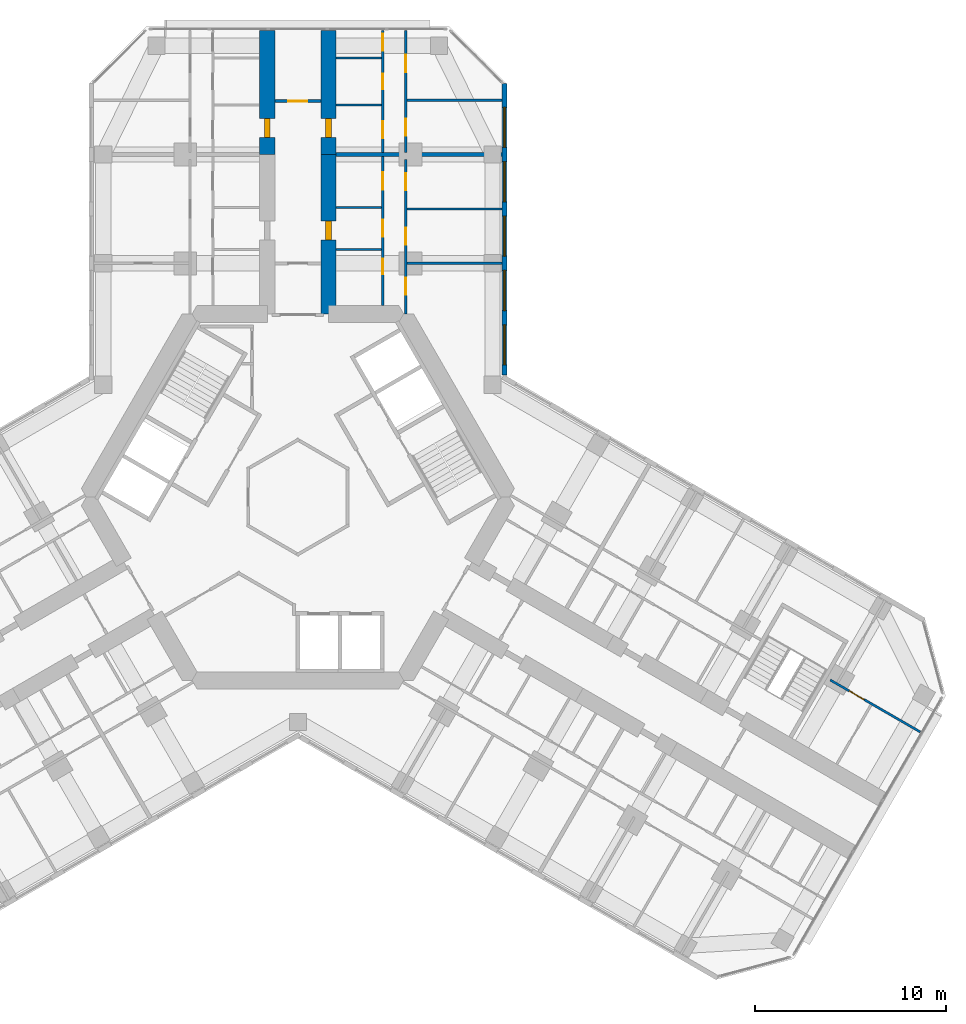
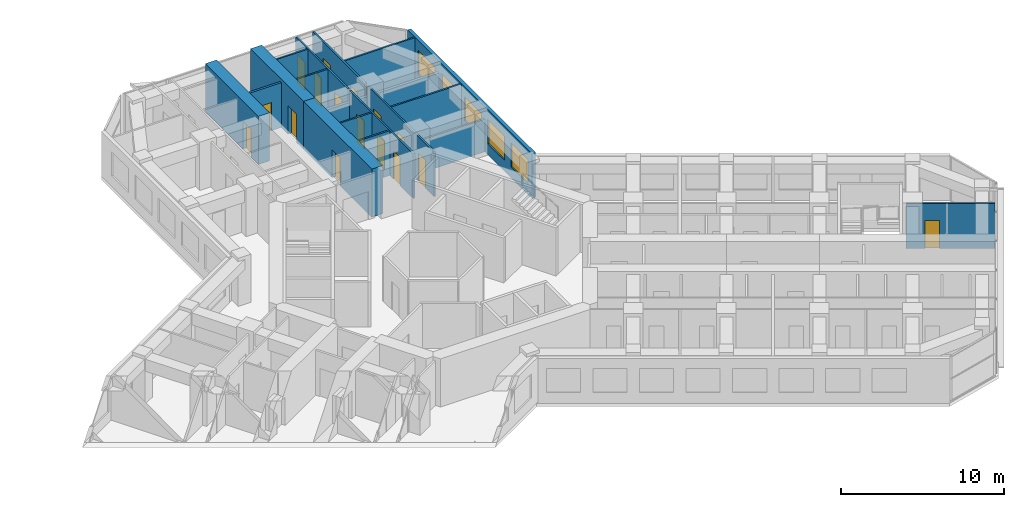
# One storey, part 18 of 20: 18 walls, 16 doors, 5 windows, 21 openings.
"""IFC4 building model written with IfcOpenShell, lengths in metres."""

from ifc_helpers import new_model, si_unit, direction, frame, frame_2d, origin, place, context, subcontext, project, spatial, rectangle, extrude, material, layer, layer_set, type_object, element, fill, save


model = new_model("IFC4")

# Units and contexts
model_context = context("Model", 3, precision=1e-05, world=origin(), true_north=direction((0.0, 1.0)))
body_context = subcontext(model_context, "Body", "Model", "MODEL_VIEW")
ifc_project = project(units=[si_unit("LENGTHUNIT", "METRE"), si_unit("AREAUNIT", "SQUARE_METRE"), si_unit("VOLUMEUNIT", "CUBIC_METRE"), si_unit("PLANEANGLEUNIT", "RADIAN"), si_unit("MASSUNIT", "GRAM", prefix="KILO")], contexts=[model_context])

# Site, building, storey
site_placement = place(None, origin())
site = spatial("IfcSite", under=ifc_project, at=site_placement, CompositionType="ELEMENT")
building_placement = place(site_placement, origin())
building = spatial("IfcBuilding", under=site, at=building_placement, Name="Kosmar Iwan School Tower", CompositionType="ELEMENT")
storey_placement = place(building_placement, frame((0.0, 0.0, 176.0)))
storey = spatial("IfcBuildingStorey", under=building, at=storey_placement, Name="L44", CompositionType="ELEMENT", Elevation=176.0)

# Wall, opening, door
ifc_material_1 = material(Name="Concrete C50/60", Category="concrete")
ifc_layer_1 = layer(ifc_material_1, 0.800048828125)
ifc_layer_set_1 = layer_set([ifc_layer_1], Name="Corridor buttress wall 800")
wall_type_1 = type_object("IfcWallType", Name="Corridor buttress wall 800", PredefinedType="SHEAR", material=ifc_layer_set_1)
wall_1_placement = place(storey_placement, frame((-1.60009765625, 17.949951171875, 0.0), z_axis=(0.0, 0.0, 1.0), x_axis=(0.0, 1.0, 0.0)))
wall_1 = element("IfcWall", 1, at=wall_1_placement, inside=storey, type_object=wall_type_1, Name="Corridor wall AL bay 2", PredefinedType="SHEAR", context=body_context, shape_type="SweptSolid", body=[
    extrude(rectangle(XDim=6.4951171875, YDim=0.800048828125, at=frame_2d((3.24755859375, 0.0))), origin(), (0.0, 0.0, 1.0), 3.60009765625),
])
opening_1_placement = place(wall_1_placement, frame((0.89990234375, 0.0, 0.0)))
opening_1 = element("IfcOpeningElement", 2, at=opening_1_placement, cuts=wall_1, Name="Opening D1", PredefinedType="OPENING", context=body_context, shape_type="SweptSolid", body=[
    extrude(rectangle(XDim=1.0, YDim=2.10009765625, at=frame_2d((0.5, 1.050048828125))), frame((0.0, 0.412109375, 0.0), z_axis=(0.0, -1.0, 0.0), x_axis=(1.0, 0.0, 0.0)), (0.0, 0.0, 1.0), 0.823974609375),
])
ifc_material_2 = material(Name="Timber fire door in steel frame", Category="steel")
door_type_1 = type_object("IfcDoorType", Name="Flat entrance door 1000x2100", OperationType="SINGLE_SWING_LEFT", PredefinedType="DOOR", material=ifc_material_2)
door_1_placement = place(opening_1_placement, origin())
door_1 = element("IfcDoor", 3, at=door_1_placement, inside=storey, type_object=door_type_1, Name="Flat L44-AL2 entrance door", OperationType="SINGLE_SWING_RIGHT", OverallHeight=2.10009765625, OverallWidth=1.0, PredefinedType="DOOR", context=body_context, shape_type="SweptSolid", body=[
    extrude(rectangle(XDim=1.0, YDim=2.10009765625, at=frame_2d((0.5, 1.050048828125))), frame((0.0, 0.14990234375, 0.0), z_axis=(0.0, -1.0, 0.0), x_axis=(1.0, 0.0, 0.0)), (0.0, 0.0, 1.0), 0.300048828125),
])
fill(opening_1, door_1)

wall_2_placement = place(storey_placement, frame((1.60009765625, 9.60009765625, 0.0), z_axis=(0.0, 0.0, 1.0), x_axis=(0.0, 1.0, 0.0)))
wall_2 = element("IfcWall", 4, at=wall_2_placement, inside=storey, type_object=wall_type_1, Name="Corridor wall AR", PredefinedType="SHEAR", context=body_context, shape_type="SweptSolid", body=[
    extrude(rectangle(XDim=8.349853515625, YDim=0.800048828125, at=frame_2d((4.1748046875, 0.0))), origin(), (0.0, 0.0, 1.0), 3.60009765625),
])
opening_2_placement = place(wall_2_placement, frame((3.8798828125, 0.0, 0.0)))
opening_2 = element("IfcOpeningElement", 5, at=opening_2_placement, cuts=wall_2, Name="Opening D1", PredefinedType="OPENING", context=body_context, shape_type="SweptSolid", body=[
    extrude(rectangle(XDim=1.0, YDim=2.10009765625, at=frame_2d((0.5, 1.050048828125))), frame((0.0, 0.412109375, 0.0), z_axis=(0.0, -1.0, 0.0), x_axis=(1.0, 0.0, 0.0)), (0.0, 0.0, 1.0), 0.823974609375),
])
door_2_placement = place(opening_2_placement, origin())
door_2 = element("IfcDoor", 6, at=door_2_placement, inside=storey, type_object=door_type_1, Name="Flat L44-AR1 entrance door", OperationType="SINGLE_SWING_LEFT", OverallHeight=2.10009765625, OverallWidth=1.0, PredefinedType="DOOR", context=body_context, shape_type="SweptSolid", body=[
    extrude(rectangle(XDim=1.0, YDim=2.10009765625, at=frame_2d((0.5, 1.050048828125))), frame((0.0, 0.14990234375, 0.0), z_axis=(0.0, -1.0, 0.0), x_axis=(1.0, 0.0, 0.0)), (0.0, 0.0, 1.0), 0.300048828125),
])
fill(opening_2, door_2)

wall_3_placement = place(storey_placement, frame((1.60009765625, 17.949951171875, 0.0), z_axis=(0.0, 0.0, 1.0), x_axis=(0.0, 1.0, 0.0)))
wall_3 = element("IfcWall", 7, at=wall_3_placement, inside=storey, type_object=wall_type_1, Name="Corridor wall AR bay 2", PredefinedType="SHEAR", context=body_context, shape_type="SweptSolid", body=[
    extrude(rectangle(XDim=6.4951171875, YDim=0.800048828125, at=frame_2d((3.24755859375, 0.0))), origin(), (0.0, 0.0, 1.0), 3.60009765625),
])
opening_3_placement = place(wall_3_placement, frame((0.89990234375, 0.0, 0.0)))
opening_3 = element("IfcOpeningElement", 8, at=opening_3_placement, cuts=wall_3, Name="Opening D1", PredefinedType="OPENING", context=body_context, shape_type="SweptSolid", body=[
    extrude(rectangle(XDim=1.0, YDim=2.10009765625, at=frame_2d((0.5, 1.050048828125))), frame((0.0, 0.412109375, 0.0), z_axis=(0.0, -1.0, 0.0), x_axis=(1.0, 0.0, 0.0)), (0.0, 0.0, 1.0), 0.823974609375),
])
door_3_placement = place(opening_3_placement, origin())
door_3 = element("IfcDoor", 9, at=door_3_placement, inside=storey, type_object=door_type_1, Name="Flat L44-AR2 entrance door", OperationType="SINGLE_SWING_RIGHT", OverallHeight=2.10009765625, OverallWidth=1.0, PredefinedType="DOOR", context=body_context, shape_type="SweptSolid", body=[
    extrude(rectangle(XDim=1.0, YDim=2.10009765625, at=frame_2d((0.5, 1.050048828125))), frame((0.0, 0.14990234375, 0.0), z_axis=(0.0, -1.0, 0.0), x_axis=(1.0, 0.0, 0.0)), (0.0, 0.0, 1.0), 0.300048828125),
])
fill(opening_3, door_3)

ifc_material_3 = material(Name="Gypsum board on steel studs, fire-rated", Category="steel")
ifc_layer_2 = layer(ifc_material_3, 0.14990234375)
ifc_layer_set_2 = layer_set([ifc_layer_2], Name="Corridor end wall 150")
wall_type_2 = type_object("IfcWallType", Name="Corridor end wall 150", PredefinedType="PARTITIONING", material=ifc_layer_set_2)
wall_4_placement = place(storey_placement, frame((1.199951171875, 20.75, 0.0), z_axis=(0.0, 0.0, 1.0), x_axis=(-1.0, 0.0, 0.0)))
wall_4 = element("IfcWall", 10, at=wall_4_placement, inside=storey, type_object=wall_type_2, Name="Partition L44-A-CE", PredefinedType="PARTITIONING", context=body_context, shape_type="SweptSolid", body=[
    extrude(rectangle(XDim=2.39990234375, YDim=0.14990234375, at=frame_2d((1.199951171875, 0.0))), origin(), (0.0, 0.0, 1.0), 3.35009765625),
])
opening_4_placement = place(wall_4_placement, frame((0.699951171875, 0.0, 0.0)))
opening_4 = element("IfcOpeningElement", 11, at=opening_4_placement, cuts=wall_4, Name="Opening D13", PredefinedType="OPENING", context=body_context, shape_type="SweptSolid", body=[
    extrude(rectangle(XDim=1.0, YDim=2.10009765625, at=frame_2d((0.5, 1.050048828125))), frame((0.0, 0.0869140625, 0.0), z_axis=(0.0, -1.0, 0.0), x_axis=(1.0, 0.0, 0.0)), (0.0, 0.0, 1.0), 0.173828125),
])
ifc_material_4 = material(Name="Timber fire door with vision panel", Category="wood")
door_type_2 = type_object("IfcDoorType", Name="Corridor end door 1000x2100", OperationType="SINGLE_SWING_LEFT", PredefinedType="DOOR", material=ifc_material_4)
door_4_placement = place(opening_4_placement, origin())
door_4 = element("IfcDoor", 12, at=door_4_placement, inside=storey, type_object=door_type_2, Name="Prayer room door L44-A", OperationType="SINGLE_SWING_RIGHT", OverallHeight=2.10009765625, OverallWidth=1.0, PredefinedType="DOOR", context=body_context, shape_type="SweptSolid", body=[
    extrude(rectangle(XDim=1.0, YDim=2.10009765625, at=frame_2d((0.5, 1.050048828125))), frame((0.0, 0.02490234375, 0.0), z_axis=(0.0, -1.0, 0.0), x_axis=(1.0, 0.0, 0.0)), (0.0, 0.0, 1.0), 0.050048828125),
])
fill(opening_4, door_4)

# Wall, openings, doors
ifc_material_5 = material(Name="Gypsum board on steel studs", Category="steel")
ifc_layer_3 = layer(ifc_material_5, 0.1201171875)
ifc_layer_set_3 = layer_set([ifc_layer_3], Name="Dwelling partition 120")
wall_type_3 = type_object("IfcWallType", Name="Dwelling partition 120", PredefinedType="PARTITIONING", material=ifc_layer_set_3)
wall_5_placement = place(storey_placement, frame((4.449951171875, 10.050048828125, 0.0), z_axis=(0.0, 0.0, 1.0), x_axis=(0.0, 1.0, 0.0)))
wall_5 = element("IfcWall", 13, at=wall_5_placement, inside=storey, type_object=wall_type_3, Name="Partition L44-AR1-W1", PredefinedType="PARTITIONING", context=body_context, shape_type="SweptSolid", body=[
    extrude(rectangle(XDim=7.800048828125, YDim=0.1201171875, at=frame_2d((3.89990234375, 0.0))), origin(), (0.0, 0.0, 1.0), 3.35009765625),
])
opening_5_placement = place(wall_5_placement, frame((1.639892578125, 0.0, 0.0)))
opening_5 = element("IfcOpeningElement", 14, at=opening_5_placement, cuts=wall_5, Name="Opening D3", PredefinedType="OPENING", context=body_context, shape_type="SweptSolid", body=[
    extrude(rectangle(XDim=0.800048828125, YDim=2.10009765625, at=frame_2d((0.39990234375, 1.050048828125))), frame((0.0, 0.072021484375, 0.0), z_axis=(0.0, -1.0, 0.0), x_axis=(1.0, 0.0, 0.0)), (0.0, 0.0, 1.0), 0.14404296875),
])
opening_6_placement = place(wall_5_placement, frame((3.580078125, 0.0, 0.0)))
opening_6 = element("IfcOpeningElement", 15, at=opening_6_placement, cuts=wall_5, Name="Opening D2", PredefinedType="OPENING", context=body_context, shape_type="SweptSolid", body=[
    extrude(rectangle(XDim=0.89990234375, YDim=2.10009765625, at=frame_2d((0.449951171875, 1.050048828125))), frame((0.0, 0.072021484375, 0.0), z_axis=(0.0, -1.0, 0.0), x_axis=(1.0, 0.0, 0.0)), (0.0, 0.0, 1.0), 0.14404296875),
])
opening_7_placement = place(wall_5_placement, frame((6.06494140625, 0.0, 0.0)))
opening_7 = element("IfcOpeningElement", 16, at=opening_7_placement, cuts=wall_5, Name="Opening D2", PredefinedType="OPENING", context=body_context, shape_type="SweptSolid", body=[
    extrude(rectangle(XDim=0.89990234375, YDim=2.10009765625, at=frame_2d((0.449951171875, 1.050048828125))), frame((0.0, 0.072021484375, 0.0), z_axis=(0.0, -1.0, 0.0), x_axis=(1.0, 0.0, 0.0)), (0.0, 0.0, 1.0), 0.14404296875),
])
ifc_material_6 = material(Name="Timber door in timber frame", Category="wood")
door_type_3 = type_object("IfcDoorType", Name="Internal door 900x2100", OperationType="SINGLE_SWING_LEFT", PredefinedType="DOOR", material=ifc_material_6)
door_5_placement = place(opening_6_placement, origin())
door_5 = element("IfcDoor", 17, at=door_5_placement, inside=storey, type_object=door_type_3, Name="Entrance hall door L44-AR1-S2", OperationType="SINGLE_SWING_RIGHT", OverallHeight=2.10009765625, OverallWidth=0.89990234375, PredefinedType="DOOR", context=body_context, shape_type="SweptSolid", body=[
    extrude(rectangle(XDim=0.89990234375, YDim=2.10009765625, at=frame_2d((0.449951171875, 1.050048828125))), frame((0.0, 0.02490234375, 0.0), z_axis=(0.0, -1.0, 0.0), x_axis=(1.0, 0.0, 0.0)), (0.0, 0.0, 1.0), 0.050048828125),
])
fill(opening_6, door_5)
door_6_placement = place(opening_7_placement, origin())
door_6 = element("IfcDoor", 18, at=door_6_placement, inside=storey, type_object=door_type_3, Name="Pantry door L44-AR1-S3", OperationType="SINGLE_SWING_RIGHT", OverallHeight=2.10009765625, OverallWidth=0.89990234375, PredefinedType="DOOR", context=body_context, shape_type="SweptSolid", body=[
    extrude(rectangle(XDim=0.89990234375, YDim=2.10009765625, at=frame_2d((0.449951171875, 1.050048828125))), frame((0.0, 0.02490234375, 0.0), z_axis=(0.0, -1.0, 0.0), x_axis=(1.0, 0.0, 0.0)), (0.0, 0.0, 1.0), 0.050048828125),
])
fill(opening_7, door_6)
ifc_material_7 = material(Name="Timber door in timber frame", Category="wood")
door_type_4 = type_object("IfcDoorType", Name="Sanitary room door 800x2100", OperationType="SINGLE_SWING_LEFT", PredefinedType="DOOR", material=ifc_material_7)
door_7_placement = place(opening_5_placement, origin())
door_7 = element("IfcDoor", 19, at=door_7_placement, inside=storey, type_object=door_type_4, Name="Bathroom door L44-AR1-S1", OperationType="SINGLE_SWING_RIGHT", OverallHeight=2.10009765625, OverallWidth=0.800048828125, PredefinedType="DOOR", context=body_context, shape_type="SweptSolid", body=[
    extrude(rectangle(XDim=0.800048828125, YDim=2.10009765625, at=frame_2d((0.39990234375, 1.050048828125))), frame((0.0, 0.02490234375, 0.0), z_axis=(0.0, -1.0, 0.0), x_axis=(1.0, 0.0, 0.0)), (0.0, 0.0, 1.0), 0.050048828125),
])
fill(opening_5, door_7)

wall_6_placement = place(storey_placement, frame((5.64990234375, 9.60009765625, 0.0), z_axis=(0.0, 0.0, 1.0), x_axis=(0.0, 1.0, 0.0)))
wall_6 = element("IfcWall", 20, at=wall_6_placement, inside=storey, type_object=wall_type_3, Name="Partition L44-AR1-W2", PredefinedType="PARTITIONING", context=body_context, shape_type="SweptSolid", body=[
    extrude(rectangle(XDim=8.099853515625, YDim=0.1201171875, at=frame_2d((4.0498046875, 0.0))), origin(), (0.0, 0.0, 1.0), 3.35009765625),
])
opening_8_placement = place(wall_6_placement, frame((1.0, 0.0, 0.0)))
opening_8 = element("IfcOpeningElement", 21, at=opening_8_placement, cuts=wall_6, Name="Opening D2", PredefinedType="OPENING", context=body_context, shape_type="SweptSolid", body=[
    extrude(rectangle(XDim=0.89990234375, YDim=2.10009765625, at=frame_2d((0.449951171875, 1.050048828125))), frame((0.0, 0.072021484375, 0.0), z_axis=(0.0, -1.0, 0.0), x_axis=(1.0, 0.0, 0.0)), (0.0, 0.0, 1.0), 0.14404296875),
])
opening_9_placement = place(wall_6_placement, frame((3.625, 0.0, 0.0)))
opening_9 = element("IfcOpeningElement", 22, at=opening_9_placement, cuts=wall_6, Name="Opening D2", PredefinedType="OPENING", context=body_context, shape_type="SweptSolid", body=[
    extrude(rectangle(XDim=0.89990234375, YDim=2.10009765625, at=frame_2d((0.449951171875, 1.050048828125))), frame((0.0, 0.072021484375, 0.0), z_axis=(0.0, -1.0, 0.0), x_axis=(1.0, 0.0, 0.0)), (0.0, 0.0, 1.0), 0.14404296875),
])
opening_10_placement = place(wall_6_placement, frame((6.47509765625, 0.0, 0.0)))
opening_10 = element("IfcOpeningElement", 23, at=opening_10_placement, cuts=wall_6, Name="Opening D2", PredefinedType="OPENING", context=body_context, shape_type="SweptSolid", body=[
    extrude(rectangle(XDim=0.89990234375, YDim=2.10009765625, at=frame_2d((0.449951171875, 1.050048828125))), frame((0.0, 0.072021484375, 0.0), z_axis=(0.0, -1.0, 0.0), x_axis=(1.0, 0.0, 0.0)), (0.0, 0.0, 1.0), 0.14404296875),
])
door_8_placement = place(opening_8_placement, origin())
door_8 = element("IfcDoor", 24, at=door_8_placement, inside=storey, type_object=door_type_3, Name="Family room and kitchen door L44-AR1-F1", OperationType="SINGLE_SWING_LEFT", OverallHeight=2.10009765625, OverallWidth=0.89990234375, PredefinedType="DOOR", context=body_context, shape_type="SweptSolid", body=[
    extrude(rectangle(XDim=0.89990234375, YDim=2.10009765625, at=frame_2d((0.449951171875, 1.050048828125))), frame((0.0, 0.02490234375, 0.0), z_axis=(0.0, -1.0, 0.0), x_axis=(1.0, 0.0, 0.0)), (0.0, 0.0, 1.0), 0.050048828125),
])
fill(opening_8, door_8)
door_9_placement = place(opening_9_placement, origin())
door_9 = element("IfcDoor", 25, at=door_9_placement, inside=storey, type_object=door_type_3, Name="Study door L44-AR1-F2", OperationType="SINGLE_SWING_LEFT", OverallHeight=2.10009765625, OverallWidth=0.89990234375, PredefinedType="DOOR", context=body_context, shape_type="SweptSolid", body=[
    extrude(rectangle(XDim=0.89990234375, YDim=2.10009765625, at=frame_2d((0.449951171875, 1.050048828125))), frame((0.0, 0.02490234375, 0.0), z_axis=(0.0, -1.0, 0.0), x_axis=(1.0, 0.0, 0.0)), (0.0, 0.0, 1.0), 0.050048828125),
])
fill(opening_9, door_9)
door_10_placement = place(opening_10_placement, origin())
door_10 = element("IfcDoor", 26, at=door_10_placement, inside=storey, type_object=door_type_3, Name="Bedroom 1 door L44-AR1-F3", OperationType="SINGLE_SWING_RIGHT", OverallHeight=2.10009765625, OverallWidth=0.89990234375, PredefinedType="DOOR", context=body_context, shape_type="SweptSolid", body=[
    extrude(rectangle(XDim=0.89990234375, YDim=2.10009765625, at=frame_2d((0.449951171875, 1.050048828125))), frame((0.0, 0.02490234375, 0.0), z_axis=(0.0, -1.0, 0.0), x_axis=(1.0, 0.0, 0.0)), (0.0, 0.0, 1.0), 0.050048828125),
])
fill(opening_10, door_10)

# Walls
wall_7_placement = place(storey_placement, frame((5.7099609375, 12.25, 0.0), z_axis=(0.0, 0.0, 1.0), x_axis=(1.0, 0.0, 0.0)))
element("IfcWall", 27, at=wall_7_placement, inside=storey, type_object=wall_type_3, Name="Partition L44-AR1-X1", PredefinedType="PARTITIONING", context=body_context, shape_type="SweptSolid", body=[
    extrude(rectangle(XDim=4.989990234375, YDim=0.1201171875, at=frame_2d((2.4951171875, 0.0))), origin(), (0.0, 0.0, 1.0), 2.449951171875),
])
wall_8_placement = place(storey_placement, frame((5.7099609375, 15.10009765625, 0.0), z_axis=(0.0, 0.0, 1.0), x_axis=(1.0, 0.0, 0.0)))
element("IfcWall", 28, at=wall_8_placement, inside=storey, type_object=wall_type_3, Name="Partition L44-AR1-X2", PredefinedType="PARTITIONING", context=body_context, shape_type="SweptSolid", body=[
    extrude(rectangle(XDim=4.989990234375, YDim=0.1201171875, at=frame_2d((2.4951171875, 0.0))), origin(), (0.0, 0.0, 1.0), 3.35009765625),
])
for number, where, z_axis, x_axis, name in (
    (29, (2.0, 12.97998046875, 0.0), (0.0, 0.0, 1.0), (1.0, 0.0, 0.0), "Partition L44-AR1-Y1"),
    (30, (2.0, 15.179931640625, 0.0), (0.0, 0.0, 1.0), (1.0, 0.0, 0.0), "Partition L44-AR1-Y2"),
):
    element("IfcWall", number, at=place(storey_placement, frame(where, z_axis=z_axis, x_axis=x_axis)), inside=storey, type_object=wall_type_3, Name=name, PredefinedType="PARTITIONING", context=body_context, shape_type="SweptSolid", body=[
        extrude(rectangle(XDim=2.389892578125, YDim=0.1201171875, at=frame_2d((1.19482421875, 0.0))), origin(), (0.0, 0.0, 1.0), 3.35009765625),
    ])

# Wall, openings, doors
wall_9_placement = place(storey_placement, frame((4.449951171875, 18.050048828125, 0.0), z_axis=(0.0, 0.0, 1.0), x_axis=(0.0, 1.0, 0.0)))
wall_9 = element("IfcWall", 31, at=wall_9_placement, inside=storey, type_object=wall_type_3, Name="Partition L44-AR2-W1", PredefinedType="PARTITIONING", context=body_context, shape_type="SweptSolid", body=[
    extrude(rectangle(XDim=6.39501953125, YDim=0.1201171875, at=frame_2d((3.197509765625, 0.0))), origin(), (0.0, 0.0, 1.0), 3.35009765625),
])
opening_11_placement = place(wall_9_placement, frame((0.75, 0.0, 0.0)))
opening_11 = element("IfcOpeningElement", 32, at=opening_11_placement, cuts=wall_9, Name="Opening D2", PredefinedType="OPENING", context=body_context, shape_type="SweptSolid", body=[
    extrude(rectangle(XDim=0.89990234375, YDim=2.10009765625, at=frame_2d((0.449951171875, 1.050048828125))), frame((0.0, 0.072021484375, 0.0), z_axis=(0.0, -1.0, 0.0), x_axis=(1.0, 0.0, 0.0)), (0.0, 0.0, 1.0), 0.14404296875),
])
opening_12_placement = place(wall_9_placement, frame((3.330078125, 0.0, 0.0)))
opening_12 = element("IfcOpeningElement", 33, at=opening_12_placement, cuts=wall_9, Name="Opening D3", PredefinedType="OPENING", context=body_context, shape_type="SweptSolid", body=[
    extrude(rectangle(XDim=0.800048828125, YDim=2.10009765625, at=frame_2d((0.39990234375, 1.050048828125))), frame((0.0, 0.072021484375, 0.0), z_axis=(0.0, -1.0, 0.0), x_axis=(1.0, 0.0, 0.0)), (0.0, 0.0, 1.0), 0.14404296875),
])
opening_13_placement = place(wall_9_placement, frame((5.330078125, 0.0, 0.0)))
opening_13 = element("IfcOpeningElement", 34, at=opening_13_placement, cuts=wall_9, Name="Opening D2", PredefinedType="OPENING", context=body_context, shape_type="SweptSolid", body=[
    extrude(rectangle(XDim=0.89990234375, YDim=2.10009765625, at=frame_2d((0.449951171875, 1.050048828125))), frame((0.0, 0.072021484375, 0.0), z_axis=(0.0, -1.0, 0.0), x_axis=(1.0, 0.0, 0.0)), (0.0, 0.0, 1.0), 0.14404296875),
])
door_11_placement = place(opening_11_placement, origin())
door_11 = element("IfcDoor", 35, at=door_11_placement, inside=storey, type_object=door_type_3, Name="Entrance hall door L44-AR2-S1", OperationType="SINGLE_SWING_LEFT", OverallHeight=2.10009765625, OverallWidth=0.89990234375, PredefinedType="DOOR", context=body_context, shape_type="SweptSolid", body=[
    extrude(rectangle(XDim=0.89990234375, YDim=2.10009765625, at=frame_2d((0.449951171875, 1.050048828125))), frame((0.0, 0.02490234375, 0.0), z_axis=(0.0, -1.0, 0.0), x_axis=(1.0, 0.0, 0.0)), (0.0, 0.0, 1.0), 0.050048828125),
])
fill(opening_11, door_11)
door_12_placement = place(opening_13_placement, origin())
door_12 = element("IfcDoor", 36, at=door_12_placement, inside=storey, type_object=door_type_3, Name="Pantry door L44-AR2-S3", OperationType="SINGLE_SWING_RIGHT", OverallHeight=2.10009765625, OverallWidth=0.89990234375, PredefinedType="DOOR", context=body_context, shape_type="SweptSolid", body=[
    extrude(rectangle(XDim=0.89990234375, YDim=2.10009765625, at=frame_2d((0.449951171875, 1.050048828125))), frame((0.0, 0.02490234375, 0.0), z_axis=(0.0, -1.0, 0.0), x_axis=(1.0, 0.0, 0.0)), (0.0, 0.0, 1.0), 0.050048828125),
])
fill(opening_13, door_12)
door_13_placement = place(opening_12_placement, origin())
door_13 = element("IfcDoor", 37, at=door_13_placement, inside=storey, type_object=door_type_4, Name="Bathroom door L44-AR2-S2", OperationType="SINGLE_SWING_RIGHT", OverallHeight=2.10009765625, OverallWidth=0.800048828125, PredefinedType="DOOR", context=body_context, shape_type="SweptSolid", body=[
    extrude(rectangle(XDim=0.800048828125, YDim=2.10009765625, at=frame_2d((0.39990234375, 1.050048828125))), frame((0.0, 0.02490234375, 0.0), z_axis=(0.0, -1.0, 0.0), x_axis=(1.0, 0.0, 0.0)), (0.0, 0.0, 1.0), 0.050048828125),
])
fill(opening_12, door_13)

wall_10_placement = place(storey_placement, frame((5.64990234375, 18.050048828125, 0.0), z_axis=(0.0, 0.0, 1.0), x_axis=(0.0, 1.0, 0.0)))
wall_10 = element("IfcWall", 38, at=wall_10_placement, inside=storey, type_object=wall_type_3, Name="Partition L44-AR2-W2", PredefinedType="PARTITIONING", context=body_context, shape_type="SweptSolid", body=[
    extrude(rectangle(XDim=6.39501953125, YDim=0.1201171875, at=frame_2d((3.197509765625, 0.0))), origin(), (0.0, 0.0, 1.0), 3.35009765625),
])
opening_14_placement = place(wall_10_placement, frame((0.875, 0.0, 0.0)))
opening_14 = element("IfcOpeningElement", 39, at=opening_14_placement, cuts=wall_10, Name="Opening D2", PredefinedType="OPENING", context=body_context, shape_type="SweptSolid", body=[
    extrude(rectangle(XDim=0.89990234375, YDim=2.10009765625, at=frame_2d((0.449951171875, 1.050048828125))), frame((0.0, 0.072021484375, 0.0), z_axis=(0.0, -1.0, 0.0), x_axis=(1.0, 0.0, 0.0)), (0.0, 0.0, 1.0), 0.14404296875),
])
opening_15_placement = place(wall_10_placement, frame((4.22509765625, 0.0, 0.0)))
opening_15 = element("IfcOpeningElement", 40, at=opening_15_placement, cuts=wall_10, Name="Opening D2", PredefinedType="OPENING", context=body_context, shape_type="SweptSolid", body=[
    extrude(rectangle(XDim=0.89990234375, YDim=2.10009765625, at=frame_2d((0.449951171875, 1.050048828125))), frame((0.0, 0.072021484375, 0.0), z_axis=(0.0, -1.0, 0.0), x_axis=(1.0, 0.0, 0.0)), (0.0, 0.0, 1.0), 0.14404296875),
])
door_14_placement = place(opening_14_placement, origin())
door_14 = element("IfcDoor", 41, at=door_14_placement, inside=storey, type_object=door_type_3, Name="Family room and kitchen door L44-AR2-F1", OperationType="SINGLE_SWING_LEFT", OverallHeight=2.10009765625, OverallWidth=0.89990234375, PredefinedType="DOOR", context=body_context, shape_type="SweptSolid", body=[
    extrude(rectangle(XDim=0.89990234375, YDim=2.10009765625, at=frame_2d((0.449951171875, 1.050048828125))), frame((0.0, 0.02490234375, 0.0), z_axis=(0.0, -1.0, 0.0), x_axis=(1.0, 0.0, 0.0)), (0.0, 0.0, 1.0), 0.050048828125),
])
fill(opening_14, door_14)
door_15_placement = place(opening_15_placement, origin())
door_15 = element("IfcDoor", 42, at=door_15_placement, inside=storey, type_object=door_type_3, Name="Bedroom 1 door L44-AR2-F2", OperationType="SINGLE_SWING_RIGHT", OverallHeight=2.10009765625, OverallWidth=0.89990234375, PredefinedType="DOOR", context=body_context, shape_type="SweptSolid", body=[
    extrude(rectangle(XDim=0.89990234375, YDim=2.10009765625, at=frame_2d((0.449951171875, 1.050048828125))), frame((0.0, 0.02490234375, 0.0), z_axis=(0.0, -1.0, 0.0), x_axis=(1.0, 0.0, 0.0)), (0.0, 0.0, 1.0), 0.050048828125),
])
fill(opening_15, door_15)

# Walls
wall_11_placement = place(storey_placement, frame((5.7099609375, 20.800048828125, 0.0), z_axis=(0.0, 0.0, 1.0), x_axis=(1.0, 0.0, 0.0)))
element("IfcWall", 43, at=wall_11_placement, inside=storey, type_object=wall_type_3, Name="Partition L44-AR2-X1", PredefinedType="PARTITIONING", context=body_context, shape_type="SweptSolid", body=[
    extrude(rectangle(XDim=4.989990234375, YDim=0.1201171875, at=frame_2d((2.4951171875, 0.0))), origin(), (0.0, 0.0, 1.0), 3.35009765625),
])
for number, where, z_axis, x_axis, name in (
    (44, (2.0, 20.550048828125, 0.0), (0.0, 0.0, 1.0), (1.0, 0.0, 0.0), "Partition L44-AR2-Y1"),
    (45, (2.0, 23.010009765625, 0.0), (0.0, 0.0, 1.0), (1.0, 0.0, 0.0), "Partition L44-AR2-Y2"),
):
    element("IfcWall", number, at=place(storey_placement, frame(where, z_axis=z_axis, x_axis=x_axis)), inside=storey, type_object=wall_type_3, Name=name, PredefinedType="PARTITIONING", context=body_context, shape_type="SweptSolid", body=[
        extrude(rectangle(XDim=2.389892578125, YDim=0.1201171875, at=frame_2d((1.19482421875, 0.0))), origin(), (0.0, 0.0, 1.0), 3.35009765625),
    ])

# Wall, opening, door
wall_12_placement = place(storey_placement, frame((27.896484375, -9.58203125, 0.0), z_axis=(0.0, 0.0, 1.0), x_axis=(0.866035508231, -0.499982498177, 0.0)))
wall_12 = element("IfcWall", 46, at=wall_12_placement, inside=storey, type_object=wall_type_3, Name="Partition L44-CL2-TW", PredefinedType="PARTITIONING", context=body_context, shape_type="SweptSolid", body=[
    extrude(rectangle(XDim=5.445068359375, YDim=0.1201171875, at=frame_2d((2.72265625, 0.0))), origin(), (0.0, 0.0, 1.0), 3.35009765625),
])
opening_16_placement = place(wall_12_placement, frame((1.14990234375, 0.0, 0.0)))
opening_16 = element("IfcOpeningElement", 47, at=opening_16_placement, cuts=wall_12, Name="Opening D2", PredefinedType="OPENING", context=body_context, shape_type="SweptSolid", body=[
    extrude(rectangle(XDim=0.89990234375, YDim=2.10009765625, at=frame_2d((0.449951171875, 1.050048828125))), frame((0.0, 0.072021484375, 0.0), z_axis=(0.0, -1.0, 0.0), x_axis=(1.0, 0.0, 0.0)), (0.0, 0.0, 1.0), 0.14404296875),
])
door_16_placement = place(opening_16_placement, origin())
door_16 = element("IfcDoor", 48, at=door_16_placement, inside=storey, type_object=door_type_3, Name="Dressing room door L44-CL2-T3", OperationType="SINGLE_SWING_LEFT", OverallHeight=2.10009765625, OverallWidth=0.89990234375, PredefinedType="DOOR", context=body_context, shape_type="SweptSolid", body=[
    extrude(rectangle(XDim=0.89990234375, YDim=2.10009765625, at=frame_2d((0.449951171875, 1.050048828125))), frame((0.0, 0.02490234375, 0.0), z_axis=(0.0, -1.0, 0.0), x_axis=(1.0, 0.0, 0.0)), (0.0, 0.0, 1.0), 0.050048828125),
])
fill(opening_16, door_16)

# Wall, openings, windows
ifc_material_8 = material(Name="Black aluminium rainscreen on insulated framing", Category="aluminium")
ifc_layer_4 = layer(ifc_material_8, 0.25)
ifc_layer_set_4 = layer_set([ifc_layer_4], Name="External wall rainscreen 250")
wall_type_4 = type_object("IfcWallType", Name="External wall rainscreen 250", PredefinedType="SOLIDWALL", material=ifc_layer_set_4)
wall_13_placement = place(storey_placement, frame((10.824951171875, 6.408935546875, 0.0), z_axis=(0.0, 0.0, 1.0), x_axis=(0.0, 1.0, 0.0)))
wall_13 = element("IfcWall", 49, at=wall_13_placement, inside=storey, type_object=wall_type_4, Name="External wall AR L44", PredefinedType="SOLIDWALL", context=body_context, shape_type="SweptSolid", body=[
    extrude(rectangle(XDim=15.2763671875, YDim=0.25, at=frame_2d((7.63818359375, 0.0))), origin(), (0.0, 0.0, 1.0), 3.35009765625),
])
opening_17_placement = place(wall_13_placement, frame((0.51611328125, 0.0, 0.800048828125)))
opening_17 = element("IfcOpeningElement", 50, at=opening_17_placement, cuts=wall_13, Name="Opening W4", PredefinedType="OPENING", context=body_context, shape_type="SweptSolid", body=[
    extrude(rectangle(XDim=2.10009765625, YDim=1.800048828125, at=frame_2d((1.050048828125, 0.89990234375))), frame((0.0, 0.136962890625, 0.0), z_axis=(0.0, -1.0, 0.0), x_axis=(1.0, 0.0, 0.0)), (0.0, 0.0, 1.0), 0.27392578125),
])
opening_18_placement = place(wall_13_placement, frame((3.365966796875, 0.0, 0.800048828125)))
opening_18 = element("IfcOpeningElement", 51, at=opening_18_placement, cuts=wall_13, Name="Opening W4", PredefinedType="OPENING", context=body_context, shape_type="SweptSolid", body=[
    extrude(rectangle(XDim=2.10009765625, YDim=1.800048828125, at=frame_2d((1.050048828125, 0.89990234375))), frame((0.0, 0.136962890625, 0.0), z_axis=(0.0, -1.0, 0.0), x_axis=(1.0, 0.0, 0.0)), (0.0, 0.0, 1.0), 0.27392578125),
])
opening_19_placement = place(wall_13_placement, frame((6.216064453125, 0.0, 0.800048828125)))
opening_19 = element("IfcOpeningElement", 52, at=opening_19_placement, cuts=wall_13, Name="Opening W4", PredefinedType="OPENING", context=body_context, shape_type="SweptSolid", body=[
    extrude(rectangle(XDim=2.10009765625, YDim=1.800048828125, at=frame_2d((1.050048828125, 0.89990234375))), frame((0.0, 0.136962890625, 0.0), z_axis=(0.0, -1.0, 0.0), x_axis=(1.0, 0.0, 0.0)), (0.0, 0.0, 1.0), 0.27392578125),
])
opening_20_placement = place(wall_13_placement, frame((9.06591796875, 0.0, 0.800048828125)))
opening_20 = element("IfcOpeningElement", 53, at=opening_20_placement, cuts=wall_13, Name="Opening W4", PredefinedType="OPENING", context=body_context, shape_type="SweptSolid", body=[
    extrude(rectangle(XDim=2.10009765625, YDim=1.800048828125, at=frame_2d((1.050048828125, 0.89990234375))), frame((0.0, 0.136962890625, 0.0), z_axis=(0.0, -1.0, 0.0), x_axis=(1.0, 0.0, 0.0)), (0.0, 0.0, 1.0), 0.27392578125),
])
opening_21_placement = place(wall_13_placement, frame((11.916015625, 0.0, 0.800048828125)))
opening_21 = element("IfcOpeningElement", 54, at=opening_21_placement, cuts=wall_13, Name="Opening W4", PredefinedType="OPENING", context=body_context, shape_type="SweptSolid", body=[
    extrude(rectangle(XDim=2.10009765625, YDim=1.800048828125, at=frame_2d((1.050048828125, 0.89990234375))), frame((0.0, 0.136962890625, 0.0), z_axis=(0.0, -1.0, 0.0), x_axis=(1.0, 0.0, 0.0)), (0.0, 0.0, 1.0), 0.27392578125),
])
ifc_material_9 = material(Name="Black aluminium frame with dark triple glazing", Category="aluminium")
window_type = type_object("IfcWindowType", Name="Window 2100x1800", PartitioningType="SINGLE_PANEL", PredefinedType="WINDOW", material=ifc_material_9)
window_1_placement = place(opening_17_placement, origin())
window_1 = element("IfcWindow", 55, at=window_1_placement, inside=storey, type_object=window_type, Name="Window AR L44 -1", OverallHeight=1.800048828125, OverallWidth=2.10009765625, PartitioningType="SINGLE_PANEL", PredefinedType="WINDOW", context=body_context, shape_type="SweptSolid", body=[
    extrude(rectangle(XDim=2.10009765625, YDim=1.800048828125, at=frame_2d((1.050048828125, 0.89990234375))), frame((0.0, 0.030029296875, 0.0), z_axis=(0.0, -1.0, 0.0), x_axis=(1.0, 0.0, 0.0)), (0.0, 0.0, 1.0), 0.06005859375),
])
fill(opening_17, window_1)
window_2_placement = place(opening_18_placement, origin())
window_2 = element("IfcWindow", 56, at=window_2_placement, inside=storey, type_object=window_type, Name="Window AR L44 0", OverallHeight=1.800048828125, OverallWidth=2.10009765625, PartitioningType="SINGLE_PANEL", PredefinedType="WINDOW", context=body_context, shape_type="SweptSolid", body=[
    extrude(rectangle(XDim=2.10009765625, YDim=1.800048828125, at=frame_2d((1.050048828125, 0.89990234375))), frame((0.0, 0.030029296875, 0.0), z_axis=(0.0, -1.0, 0.0), x_axis=(1.0, 0.0, 0.0)), (0.0, 0.0, 1.0), 0.06005859375),
])
fill(opening_18, window_2)
window_3_placement = place(opening_19_placement, origin())
window_3 = element("IfcWindow", 57, at=window_3_placement, inside=storey, type_object=window_type, Name="Window AR L44 1", OverallHeight=1.800048828125, OverallWidth=2.10009765625, PartitioningType="SINGLE_PANEL", PredefinedType="WINDOW", context=body_context, shape_type="SweptSolid", body=[
    extrude(rectangle(XDim=2.10009765625, YDim=1.800048828125, at=frame_2d((1.050048828125, 0.89990234375))), frame((0.0, 0.030029296875, 0.0), z_axis=(0.0, -1.0, 0.0), x_axis=(1.0, 0.0, 0.0)), (0.0, 0.0, 1.0), 0.06005859375),
])
fill(opening_19, window_3)
window_4_placement = place(opening_20_placement, origin())
window_4 = element("IfcWindow", 58, at=window_4_placement, inside=storey, type_object=window_type, Name="Window AR L44 2", OverallHeight=1.800048828125, OverallWidth=2.10009765625, PartitioningType="SINGLE_PANEL", PredefinedType="WINDOW", context=body_context, shape_type="SweptSolid", body=[
    extrude(rectangle(XDim=2.10009765625, YDim=1.800048828125, at=frame_2d((1.050048828125, 0.89990234375))), frame((0.0, 0.030029296875, 0.0), z_axis=(0.0, -1.0, 0.0), x_axis=(1.0, 0.0, 0.0)), (0.0, 0.0, 1.0), 0.06005859375),
])
fill(opening_20, window_4)
window_5_placement = place(opening_21_placement, origin())
window_5 = element("IfcWindow", 59, at=window_5_placement, inside=storey, type_object=window_type, Name="Window AR L44 3", OverallHeight=1.800048828125, OverallWidth=2.10009765625, PartitioningType="SINGLE_PANEL", PredefinedType="WINDOW", context=body_context, shape_type="SweptSolid", body=[
    extrude(rectangle(XDim=2.10009765625, YDim=1.800048828125, at=frame_2d((1.050048828125, 0.89990234375))), frame((0.0, 0.030029296875, 0.0), z_axis=(0.0, -1.0, 0.0), x_axis=(1.0, 0.0, 0.0)), (0.0, 0.0, 1.0), 0.06005859375),
])
fill(opening_21, window_5)

# Wall
ifc_material_10 = material(Name="Concrete block masonry", Category="masonry")
ifc_layer_5 = layer(ifc_material_10, 0.199951171875)
ifc_layer_set_5 = layer_set([ifc_layer_5], Name="Party wall 200")
wall_type_5 = type_object("IfcWallType", Name="Party wall 200", PredefinedType="PARTITIONING", material=ifc_layer_set_5)
wall_14_placement = place(storey_placement, frame((2.0, 17.949951171875, 0.0), z_axis=(0.0, 0.0, 1.0), x_axis=(1.0, 0.0, 0.0)))
element("IfcWall", 60, at=wall_14_placement, inside=storey, type_object=wall_type_5, Name="Partition L44-AR2-PW", PredefinedType="PARTITIONING", context=body_context, shape_type="SweptSolid", body=[
    extrude(rectangle(XDim=8.699951171875, YDim=0.199951171875, at=frame_2d((4.35009765625, 0.0))), origin(), (0.0, 0.0, 1.0), 2.449951171875),
])

save(model, "model.ifc")
